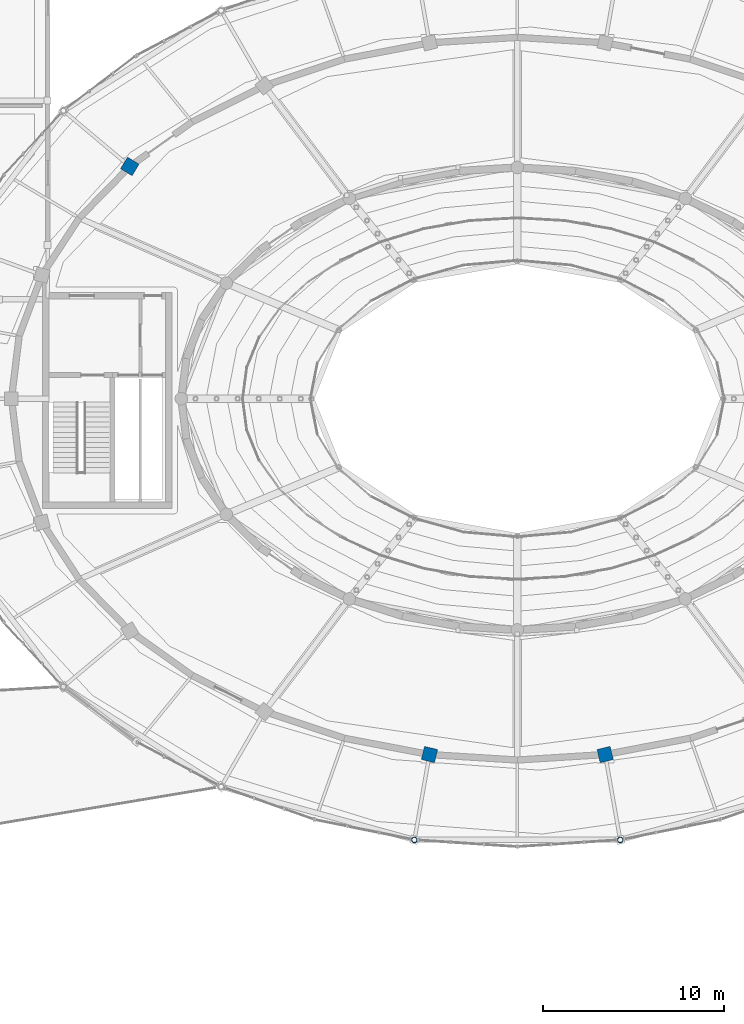
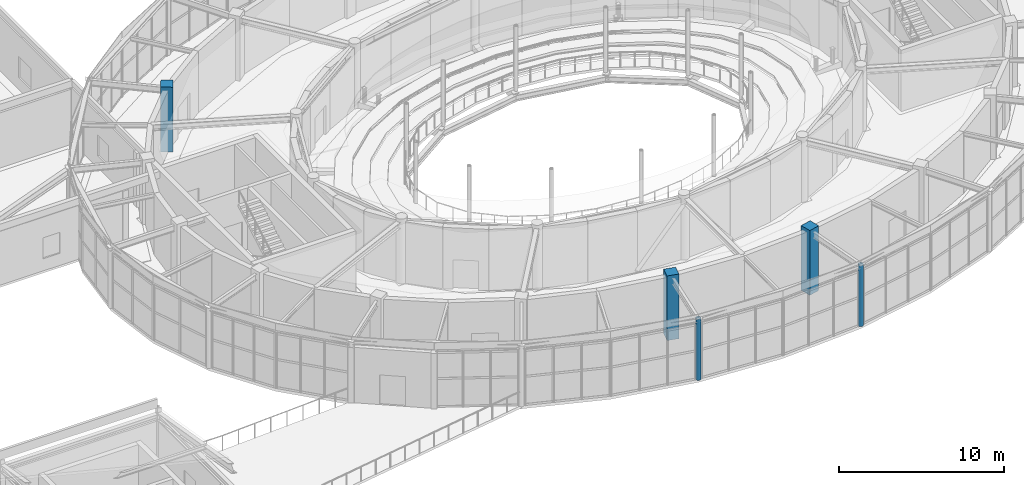
# One storey, part 5 of 108: 5 columns.
"""IFC4 building model written with IfcOpenShell, lengths in metres."""

from ifc_helpers import new_model, si_unit, direction, frame, origin, origin_2d, place, context, subcontext, project, spatial, rectangle, hollow_circle, extrude, material, material_profile, profile_set, type_object, element, save


model = new_model("IFC4")

# Units and contexts
model_context = context("Model", 3, precision=1e-05, world=origin(), true_north=direction((0.0, 1.0)))
body_context = subcontext(model_context, "Body", "Model", "MODEL_VIEW")
ifc_project = project(units=[si_unit("LENGTHUNIT", "METRE"), si_unit("AREAUNIT", "SQUARE_METRE"), si_unit("VOLUMEUNIT", "CUBIC_METRE"), si_unit("PLANEANGLEUNIT", "RADIAN"), si_unit("MASSUNIT", "GRAM", prefix="KILO")], contexts=[model_context])

# Site, building, storey
site_placement = place(None, origin())
site = spatial("IfcSite", under=ifc_project, at=site_placement, CompositionType="ELEMENT")
building_placement = place(site_placement, origin())
building = spatial("IfcBuilding", under=site, at=building_placement, Name="Tarnveldt Headland Concert Hall", CompositionType="ELEMENT")
storey_placement = place(building_placement, frame((0.0, 0.0, 9.60009765625)))
storey = spatial("IfcBuildingStorey", under=building, at=storey_placement, Name="L02", CompositionType="ELEMENT", Elevation=9.60009765625)

# Columns
ifc_material_1 = material(Name="Concrete C40/50", Category="concrete")
ifc_material_profile_1 = material_profile(ifc_material_1, rectangle(XDim=0.75, YDim=0.75, at=origin_2d()), Name="RC 750x750", Category="concrete")
ifc_profile_set_1 = profile_set([ifc_material_profile_1], Name="Concrete C40/50")
column_type_1 = type_object("IfcColumnType", Name="CC-750", PredefinedType="COLUMN", material=ifc_profile_set_1)
for number, where, z_axis, x_axis, name in (
    (1, (62.05078125, 67.355712890625, 0.0), (0.0, 0.0, 1.0), (-0.85770617722, 0.514140169175, 0.0), "Column V2DC08 L02"),
    (2, (78.637939453125, 34.8037109375, 0.0), (0.0, 0.0, 1.0), (-0.239719743609, -0.970842131618, 0.0), "Column V2DC14 L02"),
    (3, (88.362060546875, 34.8037109375, 0.0), (0.0, 0.0, 1.0), (0.239719743609, -0.970842131618, 0.0), "Column V2DC15 L02"),
):
    element("IfcColumn", number, at=place(storey_placement, frame(where, z_axis=z_axis, x_axis=x_axis)), inside=storey, type_object=column_type_1, Name=name, PredefinedType="COLUMN", context=body_context, shape_type="SweptSolid", body=[
        extrude(rectangle(XDim=0.75, YDim=0.75, at=origin_2d()), origin(), (0.0, 0.0, 1.0), 4.7998046875),
    ])
ifc_material_2 = material(Name="Steel S355", Category="steel")
ifc_material_profile_2 = material_profile(ifc_material_2, hollow_circle(Radius=0.161865234375, WallThickness=0.02001953125, at=origin_2d()), Name="CHS 323.9x20", Category="steel")
ifc_profile_set_2 = profile_set([ifc_material_profile_2], Name="Steel S355")
column_type_2 = type_object("IfcColumnType", Name="SC-CHS323", PredefinedType="COLUMN", material=ifc_profile_set_2)
for number, where, z_axis, x_axis, name in (
    (4, (77.80419921875, 30.076904296875, 0.0), (0.0, 0.0, 1.0), (-0.227161248969, -0.973857159427, 0.0), "Column V1C14 L02"),
    (5, (89.19580078125, 30.076904296875, 0.0), (0.0, 0.0, 1.0), (0.227161248969, -0.973857159427, 0.0), "Column V1C15 L02"),
):
    element("IfcColumn", number, at=place(storey_placement, frame(where, z_axis=z_axis, x_axis=x_axis)), inside=storey, type_object=column_type_2, Name=name, PredefinedType="COLUMN", context=body_context, shape_type="SweptSolid", body=[
        extrude(hollow_circle(Radius=0.161865234375, WallThickness=0.02001953125, at=origin_2d()), origin(), (0.0, 0.0, 1.0), 4.5498046875),
    ])

save(model, "model.ifc")
